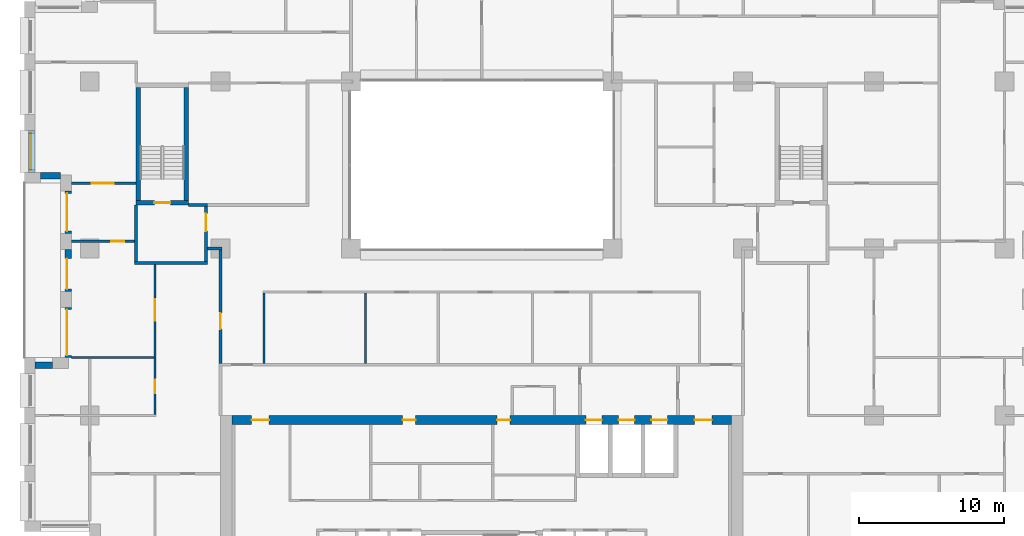
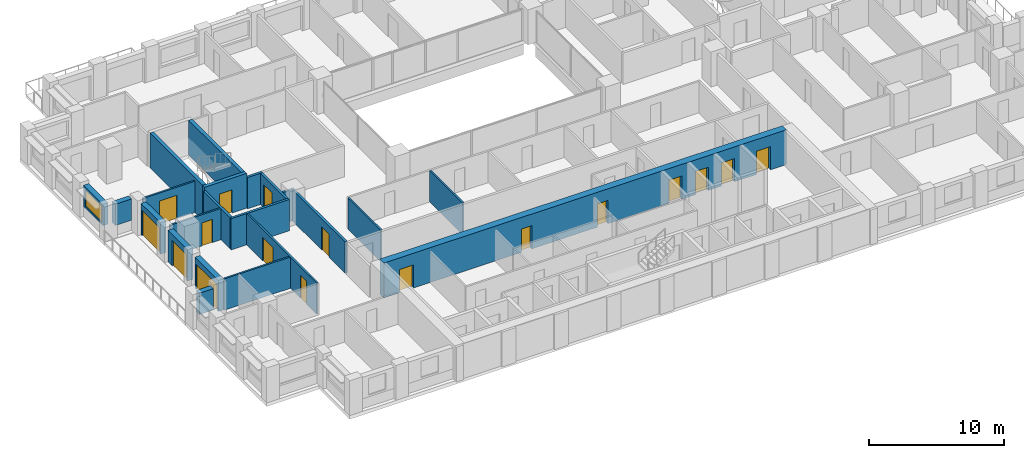
# One storey, part 9 of 16: 22 walls, 17 doors, 1 window, 18 openings.
"""IFC4 building model written with IfcOpenShell, lengths in metres."""

import ifcopenshell
import ifcopenshell.guid

model = None  # the IFC model being written
_history = None  # IfcOwnerHistory: only IFC2X3 demands one
_inside = {}  # id of a spatial element -> (the spatial element, [elements in it])
_under = {}  # id of a project, library or spatial element -> (it, [spatial elements below it])
_declared = {}  # id of a project -> (the project, [libraries it declares])
_typed = {}  # id of a type object -> (the type object, [elements of that type])
_made_of = {}  # id of a material, layer set ... -> (it, [elements and type objects made of it])


def new_model(schema):
    """Start an empty IFC model of exactly this schema.

    Asked for "IFC4X3", IfcOpenShell would pick the latest addendum, in which some entities
    have other attributes; the version numbers below select the first issue.
    IFC2X3 requires an IfcOwnerHistory on every rooted entity: one is made here for all.
    """
    global model, _history
    if schema == "IFC4X3":
        model = ifcopenshell.file(schema_version=(4, 3, 0, 0))
    else:
        model = ifcopenshell.file(schema=schema)
    _inside.clear()
    _under.clear()
    _declared.clear()
    _typed.clear()
    _made_of.clear()
    _history = None
    if model.schema == "IFC2X3":
        org = make("IfcOrganization", Name="unknown")
        user = make(
            "IfcPersonAndOrganization",
            ThePerson=make("IfcPerson", FamilyName="unknown"),
            TheOrganization=org,
        )
        app = make(
            "IfcApplication",
            ApplicationDeveloper=org,
            Version="unknown",
            ApplicationFullName="unknown",
            ApplicationIdentifier="unknown",
        )
        _history = make(
            "IfcOwnerHistory",
            OwningUser=user,
            OwningApplication=app,
            ChangeAction="ADDED",
            CreationDate=0,
        )
    return model


def make(cls, **values):
    """One entity of the class cls with the attributes given. An attribute that is None is left unset."""
    return model.create_entity(
        cls, **{name: value for name, value in values.items() if value is not None}
    )


def rooted(cls, **values):
    """An entity with a GlobalId (a new one), such as an element, a storey or a relation."""
    return make(cls, GlobalId=ifcopenshell.guid.new(), OwnerHistory=_history, **values)


def si_unit(unit_type, name, prefix=None):
    """IfcSIUnit, for example si_unit("LENGTHUNIT", "METRE", prefix="MILLI")."""
    return make("IfcSIUnit", UnitType=unit_type, Prefix=prefix, Name=name)


def assignment(units):
    """IfcUnitAssignment: the units of a project."""
    return None if units is None else make("IfcUnitAssignment", Units=units)


def point(xyz):
    """IfcCartesianPoint."""
    return None if xyz is None else make("IfcCartesianPoint", Coordinates=xyz)


def direction(xyz):
    """IfcDirection."""
    return None if xyz is None else make("IfcDirection", DirectionRatios=xyz)


def frame(location, z_axis=None, x_axis=None):
    """IfcAxis2Placement3D, a coordinate frame: its origin and axes. An axis left out is left unset."""
    return make(
        "IfcAxis2Placement3D",
        Location=point(location),
        Axis=direction(z_axis),
        RefDirection=direction(x_axis),
    )


def frame_2d(location, x_axis=None):
    """IfcAxis2Placement2D, a coordinate frame in the plane: its origin and x axis."""
    return make(
        "IfcAxis2Placement2D", Location=point(location), RefDirection=direction(x_axis)
    )


def origin():
    """The frame at (0, 0, 0) with its axes left unset."""
    return frame((0.0, 0.0, 0.0))


def place(relative_to, where):
    """IfcLocalPlacement: puts the frame where relative to a parent placement (None: the world)."""
    return make(
        "IfcLocalPlacement", PlacementRelTo=relative_to, RelativePlacement=where
    )


def context(
    kind, dimensions, precision=None, world=None, true_north=None, identifier=None
):
    """IfcGeometricRepresentationContext, for example the 3D "Model" context."""
    return make(
        "IfcGeometricRepresentationContext",
        ContextIdentifier=identifier,
        ContextType=kind,
        CoordinateSpaceDimension=dimensions,
        Precision=precision,
        WorldCoordinateSystem=world,
        TrueNorth=true_north,
    )


def subcontext(parent, identifier, kind, view, scale=None):
    """IfcGeometricRepresentationSubContext, for example "Body" below "Model"."""
    return make(
        "IfcGeometricRepresentationSubContext",
        ContextIdentifier=identifier,
        ContextType=kind,
        ParentContext=parent,
        TargetScale=scale,
        TargetView=view,
    )


def project(units=None, contexts=None):
    """IfcProject with its units and contexts."""
    return rooted(
        "IfcProject",
        Name="project",
        RepresentationContexts=contexts,
        UnitsInContext=assignment(units),
    )


def spatial(cls, under=None, at=None, **own):
    """A site, building, storey or space (cls), placed at a placement, below another one or the project."""
    s = rooted(cls, ObjectPlacement=at, **own)
    if under is not None:
        _under.setdefault(under.id(), (under, []))[1].append(s)
    return s


def profile(cls, at=None, kind="AREA", **sizes):
    """A parametric profile (cls). Its sizes go by their IFC names, for example OverallWidth=200.0."""
    return make(cls, ProfileType=kind, Position=at, **sizes)


def rectangle(**sizes):
    """IfcRectangleProfileDef."""
    return profile("IfcRectangleProfileDef", **sizes)


def extrude(swept, where, along, depth):
    """IfcExtrudedAreaSolid: the profile swept, set in the frame where, extruded along a direction by depth."""
    return make(
        "IfcExtrudedAreaSolid",
        SweptArea=swept,
        Position=where,
        ExtrudedDirection=direction(along),
        Depth=depth,
    )


def shape(context_of_items, identifier, shape_type, items):
    """IfcShapeRepresentation: the items that make up one representation, for example the "Body"."""
    return make(
        "IfcShapeRepresentation",
        ContextOfItems=context_of_items,
        RepresentationIdentifier=identifier,
        RepresentationType=shape_type,
        Items=items,
    )


def material(Name=None, Category=None):
    """IfcMaterial."""
    return make("IfcMaterial", Name=Name, Category=Category)


def layer(
    of_material, thickness, ventilated=None, Name=None, Category=None, Priority=None
):
    """IfcMaterialLayer: one layer of a wall or slab, of a material (None: an air gap)."""
    return make(
        "IfcMaterialLayer",
        Material=of_material,
        LayerThickness=thickness,
        IsVentilated=ventilated,
        Name=Name,
        Category=Category,
        Priority=Priority,
    )


def layer_set(layers, Name=None):
    """IfcMaterialLayerSet."""
    return make("IfcMaterialLayerSet", MaterialLayers=layers, LayerSetName=Name)


def made_of(thing, what):
    """Note that an element or type object is made of a material, layer set ...; save() writes the relation."""
    if what is not None:
        _made_of.setdefault(what.id(), (what, []))[1].append(thing)
    return thing


def type_object(cls, material=None, **own):
    """A type object (cls), such as IfcWallType, which elements share."""
    return made_of(rooted(cls, **own), material)


def element(
    cls,
    number,
    at=None,
    inside=None,
    cuts=None,
    type_object=None,
    material=None,
    context=None,
    identifier="Body",
    shape_type=None,
    held_by="IfcProductDefinitionShape",
    body=None,
    shapes=None,
    **own,
):
    """One element of the class cls, such as IfcWall. Its Tag is "e" and its number.

    at: its placement. inside: the storey or other place that contains it. cuts: it is an
    opening in that element (IfcRelVoidsElement). A single representation is given by context,
    identifier, shape_type and body (its items); several are given by shapes. held_by: the class
    of the entity that holds the representations. save() writes the other relations.
    """
    e = rooted(cls, Tag="e%d" % number, ObjectPlacement=at, **own)
    if body is not None:
        shapes = [shape(context, identifier, shape_type, body)]
    if shapes is not None:
        e.Representation = make(held_by, Representations=shapes)
    if inside is not None:
        _inside.setdefault(inside.id(), (inside, []))[1].append(e)
    if cuts is not None:
        rooted(
            "IfcRelVoidsElement", RelatingBuildingElement=cuts, RelatedOpeningElement=e
        )
    if type_object is not None:
        _typed.setdefault(type_object.id(), (type_object, []))[1].append(e)
    return made_of(e, material)


def fill(opening, filler):
    """IfcRelFillsElement: the door or window that sits in an opening."""
    return rooted(
        "IfcRelFillsElement",
        RelatingOpeningElement=opening,
        RelatedBuildingElement=filler,
    )


def aggregate(whole, parts):
    """IfcRelAggregates: a whole, such as a stair, and the parts it consists of."""
    return rooted("IfcRelAggregates", RelatingObject=whole, RelatedObjects=parts)


def save(model, path):
    """Write the relations noted so far, then the file.

    IfcRelAggregates (storeys below a building ...), IfcRelContainedInSpatialStructure (elements
    in a storey), IfcRelDefinesByType, IfcRelAssociatesMaterial and IfcRelDeclares: one each for
    every whole, place, type object, material and project.
    """
    for whole, parts in _under.values():
        aggregate(whole, parts)
    for where, things in _inside.values():
        rooted(
            "IfcRelContainedInSpatialStructure",
            RelatedElements=things,
            RelatingStructure=where,
        )
    for kind, things in _typed.values():
        rooted("IfcRelDefinesByType", RelatedObjects=things, RelatingType=kind)
    for what, things in _made_of.values():
        rooted("IfcRelAssociatesMaterial", RelatedObjects=things, RelatingMaterial=what)
    for by, libraries in _declared.values():
        rooted("IfcRelDeclares", RelatingContext=by, RelatedDefinitions=libraries)
    model.write(path)


model = new_model("IFC4")

# Units and contexts
model_context = context("Model", 3, precision=1e-05, world=origin(), true_north=direction((0.0, 1.0)))
body_context = subcontext(model_context, "Body", "Model", "MODEL_VIEW")
ifc_project = project(units=[si_unit("LENGTHUNIT", "METRE"), si_unit("AREAUNIT", "SQUARE_METRE"), si_unit("VOLUMEUNIT", "CUBIC_METRE"), si_unit("PLANEANGLEUNIT", "RADIAN"), si_unit("MASSUNIT", "GRAM", prefix="KILO")], contexts=[model_context])

# Site, building, storey
site_placement = place(None, origin())
site = spatial("IfcSite", under=ifc_project, at=site_placement, CompositionType="ELEMENT")
building_placement = place(site_placement, origin())
building = spatial("IfcBuilding", under=site, at=building_placement, Name="Brigalow Station Residences", CompositionType="ELEMENT")
storey_placement = place(building_placement, frame((0.0, 0.0, 118.199951171875)))
storey = spatial("IfcBuildingStorey", under=building, at=storey_placement, Name="L34", CompositionType="ELEMENT", Elevation=118.199951171875)

# Wall, opening, window
ifc_material_1 = material(Name="Clay brick masonry", Category="masonry")
ifc_layer_1 = layer(ifc_material_1, 0.449951171875)
ifc_layer_set_1 = layer_set([ifc_layer_1], Name="BRICK INFILL WALL 450")
wall_type_1 = type_object("IfcWallType", Name="BRICK INFILL WALL 450", PredefinedType="SOLIDWALL", material=ifc_layer_set_1)
wall_1_placement = place(storey_placement, frame((5.02490234375, 32.116943359375, 0.900146484375), z_axis=(0.0, 0.0, 1.0), x_axis=(0.0, -1.0, 0.0)))
wall_1 = element("IfcWall", 1, at=wall_1_placement, inside=storey, type_object=wall_type_1, Name="L34/ewall/W-L34-41", PredefinedType="SOLIDWALL", context=body_context, shape_type="SweptSolid", body=[
    extrude(rectangle(XDim=2.866943359375, YDim=0.449951171875, at=frame_2d((1.43359375, 0.0))), origin(), (0.0, 0.0, 1.0), 1.929931640625),
])
opening_1_placement = place(wall_1_placement, frame((0.18359375, 0.0, 0.14990234375)))
opening_1 = element("IfcOpeningElement", 2, at=opening_1_placement, cuts=wall_1, Name="Opening WT-5", PredefinedType="OPENING", context=body_context, shape_type="SweptSolid", body=[
    extrude(rectangle(XDim=2.5, YDim=1.5, at=frame_2d((1.25, 0.75))), frame((0.0, 0.23486328125, 0.0), z_axis=(0.0, -1.0, 0.0), x_axis=(1.0, 0.0, 0.0)), (0.0, 0.0, 1.0), 0.469970703125),
])
ifc_material_2 = material(Name="Anodised aluminium frame with double glazing", Category="aluminium")
window_type = type_object("IfcWindowType", Name="WINDOW 2500x1500", PartitioningType="SINGLE_PANEL", PredefinedType="WINDOW", material=ifc_material_2)
window_placement = place(opening_1_placement, origin())
window = element("IfcWindow", 3, at=window_placement, inside=storey, type_object=window_type, Name="L34/window/W-L34-41", OverallHeight=1.5, OverallWidth=2.5, PartitioningType="SINGLE_PANEL", PredefinedType="WINDOW", context=body_context, shape_type="SweptSolid", body=[
    extrude(rectangle(XDim=2.5, YDim=1.5, at=frame_2d((1.25, 0.75))), frame((0.0, -0.06494140625, 0.0), z_axis=(0.0, -1.0, 0.0), x_axis=(1.0, 0.0, 0.0)), (0.0, 0.0, 1.0), 0.06005859375),
])
fill(opening_1, window)

# Wall
wall_2_placement = place(storey_placement, frame((5.60009765625, 29.02490234375, 0.900146484375), z_axis=(0.0, 0.0, 1.0), x_axis=(1.0, 0.0, 0.0)))
element("IfcWall", 4, at=wall_2_placement, inside=storey, type_object=wall_type_1, Name="L34/ewall/W-L34-42", PredefinedType="SOLIDWALL", context=body_context, shape_type="SweptSolid", body=[
    extrude(rectangle(XDim=1.39990234375, YDim=0.449951171875, at=frame_2d((0.699951171875, 0.0))), origin(), (0.0, 0.0, 1.0), 1.929931640625),
])

# Wall, opening, door
wall_3_placement = place(storey_placement, frame((7.52490234375, 27.949951171875, 0.0), z_axis=(0.0, 0.0, 1.0), x_axis=(0.0, -1.0, 0.0)))
wall_3 = element("IfcWall", 5, at=wall_3_placement, inside=storey, type_object=wall_type_1, Name="L34/ewall/W-L34-43", PredefinedType="SOLIDWALL", context=body_context, shape_type="SweptSolid", body=[
    extrude(rectangle(XDim=2.89990234375, YDim=0.449951171875, at=frame_2d((1.449951171875, 0.0))), origin(), (0.0, 0.0, 1.0), 2.830078125),
])
opening_2_placement = place(wall_3_placement, frame((0.14990234375, 0.0, 0.0)))
opening_2 = element("IfcOpeningElement", 6, at=opening_2_placement, cuts=wall_3, Name="Opening D-B2600", PredefinedType="OPENING", context=body_context, shape_type="SweptSolid", body=[
    extrude(rectangle(XDim=2.60009765625, YDim=2.300048828125, at=frame_2d((1.300048828125, 1.14990234375))), frame((0.0, 0.23486328125, 0.0), z_axis=(0.0, -1.0, 0.0), x_axis=(1.0, 0.0, 0.0)), (0.0, 0.0, 1.0), 0.469970703125),
])
ifc_material_3 = material(Name="Anodised aluminium frame with double glazing", Category="aluminium")
door_type_1 = type_object("IfcDoorType", Name="BALCONY SLIDING DOOR 2600x2300", OperationType="SLIDING_TO_LEFT", PredefinedType="DOOR", material=ifc_material_3)
door_1_placement = place(opening_2_placement, origin())
door_1 = element("IfcDoor", 7, at=door_1_placement, inside=storey, type_object=door_type_1, Name="L34/balcony-door/W-L34-43", OperationType="SLIDING_TO_LEFT", OverallHeight=2.300048828125, OverallWidth=2.60009765625, PredefinedType="DOOR", context=body_context, shape_type="SweptSolid", body=[
    extrude(rectangle(XDim=2.60009765625, YDim=2.300048828125, at=frame_2d((1.300048828125, 1.14990234375))), frame((0.0, -0.06982421875, 0.0), z_axis=(0.0, -1.0, 0.0), x_axis=(1.0, 0.0, 0.0)), (0.0, 0.0, 1.0), 0.050048828125),
])
fill(opening_2, door_1)

wall_4_placement = place(storey_placement, frame((7.52490234375, 23.949951171875, 0.0), z_axis=(0.0, 0.0, 1.0), x_axis=(0.0, -1.0, 0.0)))
wall_4 = element("IfcWall", 8, at=wall_4_placement, inside=storey, type_object=wall_type_1, Name="L34/ewall/W-L34-44", PredefinedType="SOLIDWALL", context=body_context, shape_type="SweptSolid", body=[
    extrude(rectangle(XDim=2.89990234375, YDim=0.449951171875, at=frame_2d((1.449951171875, 0.0))), origin(), (0.0, 0.0, 1.0), 2.830078125),
])
opening_3_placement = place(wall_4_placement, frame((0.635009765625, 0.0, 0.0)))
opening_3 = element("IfcOpeningElement", 9, at=opening_3_placement, cuts=wall_4, Name="Opening D-B2100", PredefinedType="OPENING", context=body_context, shape_type="SweptSolid", body=[
    extrude(rectangle(XDim=2.10009765625, YDim=2.300048828125, at=frame_2d((1.050048828125, 1.14990234375))), frame((0.0, 0.23486328125, 0.0), z_axis=(0.0, -1.0, 0.0), x_axis=(1.0, 0.0, 0.0)), (0.0, 0.0, 1.0), 0.469970703125),
])
ifc_material_4 = material(Name="Anodised aluminium frame with double glazing", Category="aluminium")
door_type_2 = type_object("IfcDoorType", Name="BALCONY SLIDING DOOR 2100x2300", OperationType="SLIDING_TO_LEFT", PredefinedType="DOOR", material=ifc_material_4)
door_2_placement = place(opening_3_placement, origin())
door_2 = element("IfcDoor", 10, at=door_2_placement, inside=storey, type_object=door_type_2, Name="L34/balcony-door/W-L34-44", OperationType="SLIDING_TO_LEFT", OverallHeight=2.300048828125, OverallWidth=2.10009765625, PredefinedType="DOOR", context=body_context, shape_type="SweptSolid", body=[
    extrude(rectangle(XDim=2.10009765625, YDim=2.300048828125, at=frame_2d((1.050048828125, 1.14990234375))), frame((0.0, -0.06982421875, 0.0), z_axis=(0.0, -1.0, 0.0), x_axis=(1.0, 0.0, 0.0)), (0.0, 0.0, 1.0), 0.050048828125),
])
fill(opening_3, door_2)

wall_5_placement = place(storey_placement, frame((7.52490234375, 19.949951171875, 0.0), z_axis=(0.0, 0.0, 1.0), x_axis=(0.0, -1.0, 0.0)))
wall_5 = element("IfcWall", 11, at=wall_5_placement, inside=storey, type_object=wall_type_1, Name="L34/ewall/W-L34-45", PredefinedType="SOLIDWALL", context=body_context, shape_type="SweptSolid", body=[
    extrude(rectangle(XDim=3.449951171875, YDim=0.449951171875, at=frame_2d((1.72509765625, 0.0))), origin(), (0.0, 0.0, 1.0), 2.830078125),
])
opening_4_placement = place(wall_5_placement, frame((0.14990234375, 0.0, 0.0)))
opening_4 = element("IfcOpeningElement", 12, at=opening_4_placement, cuts=wall_5, Name="Opening D-B3150", PredefinedType="OPENING", context=body_context, shape_type="SweptSolid", body=[
    extrude(rectangle(XDim=3.14990234375, YDim=2.300048828125, at=frame_2d((1.574951171875, 1.14990234375))), frame((0.0, 0.23486328125, 0.0), z_axis=(0.0, -1.0, 0.0), x_axis=(1.0, 0.0, 0.0)), (0.0, 0.0, 1.0), 0.469970703125),
])
ifc_material_5 = material(Name="Anodised aluminium frame with double glazing", Category="aluminium")
door_type_3 = type_object("IfcDoorType", Name="BALCONY SLIDING DOOR 3150x2300", OperationType="SLIDING_TO_LEFT", PredefinedType="DOOR", material=ifc_material_5)
door_3_placement = place(opening_4_placement, origin())
door_3 = element("IfcDoor", 13, at=door_3_placement, inside=storey, type_object=door_type_3, Name="L34/balcony-door/W-L34-45", OperationType="SLIDING_TO_LEFT", OverallHeight=2.300048828125, OverallWidth=3.14990234375, PredefinedType="DOOR", context=body_context, shape_type="SweptSolid", body=[
    extrude(rectangle(XDim=3.14990234375, YDim=2.300048828125, at=frame_2d((1.574951171875, 1.14990234375))), frame((0.0, -0.06982421875, 0.0), z_axis=(0.0, -1.0, 0.0), x_axis=(1.0, 0.0, 0.0)), (0.0, 0.0, 1.0), 0.050048828125),
])
fill(opening_4, door_3)

# Wall
wall_6_placement = place(storey_placement, frame((6.449951171875, 15.97509765625, 0.900146484375), z_axis=(0.0, 0.0, 1.0), x_axis=(-1.0, 0.0, 0.0)))
element("IfcWall", 14, at=wall_6_placement, inside=storey, type_object=wall_type_1, Name="L34/ewall/W-L34-46", PredefinedType="SOLIDWALL", context=body_context, shape_type="SweptSolid", body=[
    extrude(rectangle(XDim=1.199951171875, YDim=0.449951171875, at=frame_2d((0.60009765625, 0.0))), origin(), (0.0, 0.0, 1.0), 1.929931640625),
])

# Wall, opening, door
ifc_material_6 = material(Name="Concrete C65", Category="concrete")
ifc_layer_2 = layer(ifc_material_6, 0.300048828125)
ifc_layer_set_2 = layer_set([ifc_layer_2], Name="CORE SHEAR WALL 300 C65")
wall_type_2 = type_object("IfcWallType", Name="CORE SHEAR WALL 300 C65", PredefinedType="SHEAR", material=ifc_layer_set_2)
wall_7_placement = place(storey_placement, frame((12.199951171875, 27.14990234375, 0.0), z_axis=(0.0, 0.0, 1.0), x_axis=(1.0, 0.0, 0.0)))
wall_7 = element("IfcWall", 15, at=wall_7_placement, inside=storey, type_object=wall_type_2, Name="CORE WALL ST-S1-S L34", PredefinedType="SHEAR", context=body_context, shape_type="SweptSolid", body=[
    extrude(rectangle(XDim=3.60009765625, YDim=0.300048828125, at=frame_2d((1.800048828125, 0.0))), origin(), (0.0, 0.0, 1.0), 3.150146484375),
])
opening_5_placement = place(wall_7_placement, frame((1.25, 0.0, 0.0)))
opening_5 = element("IfcOpeningElement", 16, at=opening_5_placement, cuts=wall_7, Name="Opening D-5015", PredefinedType="OPENING", context=body_context, shape_type="SweptSolid", body=[
    extrude(rectangle(XDim=1.10009765625, YDim=2.10009765625, at=frame_2d((0.550048828125, 1.050048828125))), frame((0.0, 0.16015625, 0.0), z_axis=(0.0, -1.0, 0.0), x_axis=(1.0, 0.0, 0.0)), (0.0, 0.0, 1.0), 0.320068359375),
])
ifc_material_7 = material(Name="Steel fire door leaf in steel frame", Category="steel")
door_type_4 = type_object("IfcDoorType", Name="STAIR DOOR 1100 x 2100 FD60S", OperationType="SINGLE_SWING_LEFT", PredefinedType="DOOR", material=ifc_material_7)
door_4_placement = place(opening_5_placement, origin())
door_4 = element("IfcDoor", 17, at=door_4_placement, inside=storey, type_object=door_type_4, Name="D-5015", OperationType="SINGLE_SWING_LEFT", OverallHeight=2.10009765625, OverallWidth=1.10009765625, PredefinedType="DOOR", context=body_context, shape_type="SweptSolid", body=[
    extrude(rectangle(XDim=1.10009765625, YDim=2.10009765625, at=frame_2d((0.550048828125, 1.050048828125))), frame((0.0, 0.02490234375, 0.0), z_axis=(0.0, -1.0, 0.0), x_axis=(1.0, 0.0, 0.0)), (0.0, 0.0, 1.0), 0.050048828125),
])
fill(opening_5, door_4)

# Walls
for number, where, z_axis, x_axis, name in (
    (18, (12.35009765625, 27.300048828125, 0.0), (0.0, 0.0, 1.0), (0.0, 1.0, 0.0), "CORE WALL ST-S1-W L34"),
    (19, (15.64990234375, 27.300048828125, 0.0), (0.0, 0.0, 1.0), (0.0, 1.0, 0.0), "CORE WALL ST-S1-E L34"),
):
    element("IfcWall", number, at=place(storey_placement, frame(where, z_axis=z_axis, x_axis=x_axis)), inside=storey, type_object=wall_type_2, Name=name, PredefinedType="SHEAR", context=body_context, shape_type="SweptSolid", body=[
        extrude(rectangle(XDim=7.800048828125, YDim=0.300048828125, at=frame_2d((3.89990234375, 0.0))), origin(), (0.0, 0.0, 1.0), 3.150146484375),
    ])

# Wall, openings, doors
ifc_material_8 = material(Name="Concrete C65", Category="concrete")
ifc_layer_3 = layer(ifc_material_8, 0.60009765625)
ifc_layer_set_3 = layer_set([ifc_layer_3], Name="CORE SHEAR WALL 600 C65")
wall_type_3 = type_object("IfcWallType", Name="CORE SHEAR WALL 600 C65", PredefinedType="SHEAR", material=ifc_layer_set_3)
wall_8_placement = place(storey_placement, frame((18.800048828125, 12.199951171875, 0.0), z_axis=(0.0, 0.0, 1.0), x_axis=(1.0, 0.0, 0.0)))
wall_8 = element("IfcWall", 20, at=wall_8_placement, inside=storey, type_object=wall_type_3, Name="CORE WALL OUT-N L34", PredefinedType="SHEAR", context=body_context, shape_type="SweptSolid", body=[
    extrude(rectangle(XDim=34.39990234375, YDim=0.60009765625, at=frame_2d((17.199951171875, 0.0))), origin(), (0.0, 0.0, 1.0), 3.150146484375),
])
opening_6_placement = place(wall_8_placement, frame((24.375, 0.0, 0.0)))
opening_6 = element("IfcOpeningElement", 21, at=opening_6_placement, cuts=wall_8, Name="Opening LD-LF1", PredefinedType="OPENING", context=body_context, shape_type="SweptSolid", body=[
    extrude(rectangle(XDim=1.10009765625, YDim=2.10009765625, at=frame_2d((0.550048828125, 1.050048828125))), frame((0.0, 0.31005859375, 0.0), z_axis=(0.0, -1.0, 0.0), x_axis=(1.0, 0.0, 0.0)), (0.0, 0.0, 1.0), 0.6201171875),
])
opening_7_placement = place(wall_8_placement, frame((26.625, 0.0, 0.0)))
opening_7 = element("IfcOpeningElement", 22, at=opening_7_placement, cuts=wall_8, Name="Opening LD-LF2", PredefinedType="OPENING", context=body_context, shape_type="SweptSolid", body=[
    extrude(rectangle(XDim=1.10009765625, YDim=2.10009765625, at=frame_2d((0.550048828125, 1.050048828125))), frame((0.0, 0.31005859375, 0.0), z_axis=(0.0, -1.0, 0.0), x_axis=(1.0, 0.0, 0.0)), (0.0, 0.0, 1.0), 0.6201171875),
])
opening_8_placement = place(wall_8_placement, frame((28.875, 0.0, 0.0)))
opening_8 = element("IfcOpeningElement", 23, at=opening_8_placement, cuts=wall_8, Name="Opening LD-LG1", PredefinedType="OPENING", context=body_context, shape_type="SweptSolid", body=[
    extrude(rectangle(XDim=1.10009765625, YDim=2.10009765625, at=frame_2d((0.550048828125, 1.050048828125))), frame((0.0, 0.31005859375, 0.0), z_axis=(0.0, -1.0, 0.0), x_axis=(1.0, 0.0, 0.0)), (0.0, 0.0, 1.0), 0.6201171875),
])
opening_9_placement = place(wall_8_placement, frame((11.75, 0.0, 0.0)))
opening_9 = element("IfcOpeningElement", 24, at=opening_9_placement, cuts=wall_8, Name="Opening D-5122", PredefinedType="OPENING", context=body_context, shape_type="SweptSolid", body=[
    extrude(rectangle(XDim=0.89990234375, YDim=2.10009765625, at=frame_2d((0.449951171875, 1.050048828125))), frame((0.0, 0.31005859375, 0.0), z_axis=(0.0, -1.0, 0.0), x_axis=(1.0, 0.0, 0.0)), (0.0, 0.0, 1.0), 0.6201171875),
])
opening_10_placement = place(wall_8_placement, frame((18.25, 0.0, 0.0)))
opening_10 = element("IfcOpeningElement", 25, at=opening_10_placement, cuts=wall_8, Name="Opening D-5119", PredefinedType="OPENING", context=body_context, shape_type="SweptSolid", body=[
    extrude(rectangle(XDim=0.89990234375, YDim=2.10009765625, at=frame_2d((0.449951171875, 1.050048828125))), frame((0.0, 0.31005859375, 0.0), z_axis=(0.0, -1.0, 0.0), x_axis=(1.0, 0.0, 0.0)), (0.0, 0.0, 1.0), 0.6201171875),
])
opening_11_placement = place(wall_8_placement, frame((1.35009765625, 0.0, 0.0)))
opening_11 = element("IfcOpeningElement", 26, at=opening_11_placement, cuts=wall_8, Name="Opening D-5011", PredefinedType="OPENING", context=body_context, shape_type="SweptSolid", body=[
    extrude(rectangle(XDim=1.199951171875, YDim=2.10009765625, at=frame_2d((0.60009765625, 1.050048828125))), frame((0.0, 0.31005859375, 0.0), z_axis=(0.0, -1.0, 0.0), x_axis=(1.0, 0.0, 0.0)), (0.0, 0.0, 1.0), 0.6201171875),
])
opening_12_placement = place(wall_8_placement, frame((31.85009765625, 0.0, 0.0)))
opening_12 = element("IfcOpeningElement", 27, at=opening_12_placement, cuts=wall_8, Name="Opening D-5012", PredefinedType="OPENING", context=body_context, shape_type="SweptSolid", body=[
    extrude(rectangle(XDim=1.199951171875, YDim=2.10009765625, at=frame_2d((0.60009765625, 1.050048828125))), frame((0.0, 0.31005859375, 0.0), z_axis=(0.0, -1.0, 0.0), x_axis=(1.0, 0.0, 0.0)), (0.0, 0.0, 1.0), 0.6201171875),
])
ifc_material_9 = material(Name="Steel fire door leaf in steel frame", Category="steel")
door_type_5 = type_object("IfcDoorType", Name="CORE CORRIDOR DOOR 1200 x 2100 FD60S", OperationType="SINGLE_SWING_LEFT", PredefinedType="DOOR", material=ifc_material_9)
door_5_placement = place(opening_11_placement, frame((1.199951171875, 0.0, 0.0), z_axis=(0.0, 0.0, 1.0), x_axis=(-1.0, 0.0, 0.0)))
door_5 = element("IfcDoor", 28, at=door_5_placement, inside=storey, type_object=door_type_5, Name="D-5011", OperationType="SINGLE_SWING_LEFT", OverallHeight=2.10009765625, OverallWidth=1.199951171875, PredefinedType="DOOR", context=body_context, shape_type="SweptSolid", body=[
    extrude(rectangle(XDim=1.199951171875, YDim=2.10009765625, at=frame_2d((0.60009765625, 1.050048828125))), frame((0.0, 0.02490234375, 0.0), z_axis=(0.0, -1.0, 0.0), x_axis=(1.0, 0.0, 0.0)), (0.0, 0.0, 1.0), 0.050048828125),
])
fill(opening_11, door_5)
door_6_placement = place(opening_12_placement, frame((1.199951171875, 0.0, 0.0), z_axis=(0.0, 0.0, 1.0), x_axis=(-1.0, 0.0, 0.0)))
door_6 = element("IfcDoor", 29, at=door_6_placement, inside=storey, type_object=door_type_5, Name="D-5012", OperationType="SINGLE_SWING_LEFT", OverallHeight=2.10009765625, OverallWidth=1.199951171875, PredefinedType="DOOR", context=body_context, shape_type="SweptSolid", body=[
    extrude(rectangle(XDim=1.199951171875, YDim=2.10009765625, at=frame_2d((0.60009765625, 1.050048828125))), frame((0.0, 0.02490234375, 0.0), z_axis=(0.0, -1.0, 0.0), x_axis=(1.0, 0.0, 0.0)), (0.0, 0.0, 1.0), 0.050048828125),
])
fill(opening_12, door_6)
ifc_material_10 = material(Name="Stainless steel sliding door leaves", Category="steel")
door_type_6 = type_object("IfcDoorType", Name="LIFT LANDING DOOR 1100 x 2100", OperationType="DOUBLE_DOOR_SLIDING", PredefinedType="DOOR", material=ifc_material_10)
door_7_placement = place(opening_6_placement, origin())
door_7 = element("IfcDoor", 30, at=door_7_placement, inside=storey, type_object=door_type_6, Name="LANDING DOOR LF1", OperationType="DOUBLE_DOOR_SLIDING", OverallHeight=2.10009765625, OverallWidth=1.10009765625, PredefinedType="DOOR", context=body_context, shape_type="SweptSolid", body=[
    extrude(rectangle(XDim=1.10009765625, YDim=2.10009765625, at=frame_2d((0.550048828125, 1.050048828125))), frame((0.0, 0.02490234375, 0.0), z_axis=(0.0, -1.0, 0.0), x_axis=(1.0, 0.0, 0.0)), (0.0, 0.0, 1.0), 0.050048828125),
])
fill(opening_6, door_7)
door_8_placement = place(opening_7_placement, origin())
door_8 = element("IfcDoor", 31, at=door_8_placement, inside=storey, type_object=door_type_6, Name="LANDING DOOR LF2", OperationType="DOUBLE_DOOR_SLIDING", OverallHeight=2.10009765625, OverallWidth=1.10009765625, PredefinedType="DOOR", context=body_context, shape_type="SweptSolid", body=[
    extrude(rectangle(XDim=1.10009765625, YDim=2.10009765625, at=frame_2d((0.550048828125, 1.050048828125))), frame((0.0, 0.02490234375, 0.0), z_axis=(0.0, -1.0, 0.0), x_axis=(1.0, 0.0, 0.0)), (0.0, 0.0, 1.0), 0.050048828125),
])
fill(opening_7, door_8)
door_9_placement = place(opening_8_placement, origin())
door_9 = element("IfcDoor", 32, at=door_9_placement, inside=storey, type_object=door_type_6, Name="LANDING DOOR LG1", OperationType="DOUBLE_DOOR_SLIDING", OverallHeight=2.10009765625, OverallWidth=1.10009765625, PredefinedType="DOOR", context=body_context, shape_type="SweptSolid", body=[
    extrude(rectangle(XDim=1.10009765625, YDim=2.10009765625, at=frame_2d((0.550048828125, 1.050048828125))), frame((0.0, 0.02490234375, 0.0), z_axis=(0.0, -1.0, 0.0), x_axis=(1.0, 0.0, 0.0)), (0.0, 0.0, 1.0), 0.050048828125),
])
fill(opening_8, door_9)
ifc_material_11 = material(Name="Steel door leaf in steel frame", Category="steel")
door_type_7 = type_object("IfcDoorType", Name="SERVICE ROOM DOOR 900 x 2100 FD60", OperationType="SINGLE_SWING_LEFT", PredefinedType="DOOR", material=ifc_material_11)
door_10_placement = place(opening_9_placement, frame((0.89990234375, 0.0, 0.0), z_axis=(0.0, 0.0, 1.0), x_axis=(-1.0, 0.0, 0.0)))
door_10 = element("IfcDoor", 33, at=door_10_placement, inside=storey, type_object=door_type_7, Name="D-5122", OperationType="SINGLE_SWING_RIGHT", OverallHeight=2.10009765625, OverallWidth=0.89990234375, PredefinedType="DOOR", context=body_context, shape_type="SweptSolid", body=[
    extrude(rectangle(XDim=0.89990234375, YDim=2.10009765625, at=frame_2d((0.449951171875, 1.050048828125))), frame((0.0, 0.02490234375, 0.0), z_axis=(0.0, -1.0, 0.0), x_axis=(1.0, 0.0, 0.0)), (0.0, 0.0, 1.0), 0.050048828125),
])
fill(opening_9, door_10)
door_11_placement = place(opening_10_placement, frame((0.89990234375, 0.0, 0.0), z_axis=(0.0, 0.0, 1.0), x_axis=(-1.0, 0.0, 0.0)))
door_11 = element("IfcDoor", 34, at=door_11_placement, inside=storey, type_object=door_type_7, Name="D-5119", OperationType="SINGLE_SWING_RIGHT", OverallHeight=2.10009765625, OverallWidth=0.89990234375, PredefinedType="DOOR", context=body_context, shape_type="SweptSolid", body=[
    extrude(rectangle(XDim=0.89990234375, YDim=2.10009765625, at=frame_2d((0.449951171875, 1.050048828125))), frame((0.0, 0.02490234375, 0.0), z_axis=(0.0, -1.0, 0.0), x_axis=(1.0, 0.0, 0.0)), (0.0, 0.0, 1.0), 0.050048828125),
])
fill(opening_10, door_11)

# Walls
ifc_material_12 = material(Name="Concrete blockwork", Category="masonry")
ifc_layer_4 = layer(ifc_material_12, 0.199951171875)
ifc_layer_set_4 = layer_set([ifc_layer_4], Name="FIRE RATED CORE PARTITION 200")
wall_type_4 = type_object("IfcWallType", Name="FIRE RATED CORE PARTITION 200", PredefinedType="PARTITIONING", material=ifc_layer_set_4)
wall_9_placement = place(storey_placement, frame((12.10009765625, 23.0, 0.0), z_axis=(0.0, 0.0, 1.0), x_axis=(1.0, 0.0, 0.0)))
element("IfcWall", 35, at=wall_9_placement, inside=storey, type_object=wall_type_4, Name="PW-5023", PredefinedType="PARTITIONING", context=body_context, shape_type="SweptSolid", body=[
    extrude(rectangle(XDim=5.0, YDim=0.199951171875, at=frame_2d((2.5, 0.0))), origin(), (0.0, 0.0, 1.0), 2.830078125),
])
wall_10_placement = place(storey_placement, frame((15.800048828125, 27.0, 0.0), z_axis=(0.0, 0.0, 1.0), x_axis=(1.0, 0.0, 0.0)))
element("IfcWall", 36, at=wall_10_placement, inside=storey, type_object=wall_type_4, Name="PW-5025", PredefinedType="PARTITIONING", context=body_context, shape_type="SweptSolid", body=[
    extrude(rectangle(XDim=1.300048828125, YDim=0.199951171875, at=frame_2d((0.64990234375, 0.0))), origin(), (0.0, 0.0, 1.0), 2.830078125),
])
wall_11_placement = place(storey_placement, frame((12.199951171875, 23.10009765625, 0.0), z_axis=(0.0, 0.0, 1.0), x_axis=(0.0, 1.0, 0.0)))
element("IfcWall", 37, at=wall_11_placement, inside=storey, type_object=wall_type_4, Name="PW-5034", PredefinedType="PARTITIONING", context=body_context, shape_type="SweptSolid", body=[
    extrude(rectangle(XDim=3.89990234375, YDim=0.199951171875, at=frame_2d((1.949951171875, 0.0))), origin(), (0.0, 0.0, 1.0), 2.830078125),
])

# Wall, opening, door
wall_12_placement = place(storey_placement, frame((17.0, 23.10009765625, 0.0), z_axis=(0.0, 0.0, 1.0), x_axis=(0.0, 1.0, 0.0)))
wall_12 = element("IfcWall", 38, at=wall_12_placement, inside=storey, type_object=wall_type_4, Name="PW-5035", PredefinedType="PARTITIONING", context=body_context, shape_type="SweptSolid", body=[
    extrude(rectangle(XDim=3.7998046875, YDim=0.199951171875, at=frame_2d((1.89990234375, 0.0))), origin(), (0.0, 0.0, 1.0), 2.830078125),
])
opening_13_placement = place(wall_12_placement, frame((2.10009765625, 0.0, 0.0)))
opening_13 = element("IfcOpeningElement", 39, at=opening_13_placement, cuts=wall_12, Name="Opening D-5016", PredefinedType="OPENING", context=body_context, shape_type="SweptSolid", body=[
    extrude(rectangle(XDim=1.199951171875, YDim=2.10009765625, at=frame_2d((0.60009765625, 1.050048828125))), frame((0.0, 0.10986328125, 0.0), z_axis=(0.0, -1.0, 0.0), x_axis=(1.0, 0.0, 0.0)), (0.0, 0.0, 1.0), 0.219970703125),
])
ifc_material_13 = material(Name="Steel fire door leaf in steel frame", Category="steel")
door_type_8 = type_object("IfcDoorType", Name="STAIR LOBBY DOOR 1200 x 2100 FD60S", OperationType="SINGLE_SWING_LEFT", PredefinedType="DOOR", material=ifc_material_13)
door_12_placement = place(opening_13_placement, origin())
door_12 = element("IfcDoor", 40, at=door_12_placement, inside=storey, type_object=door_type_8, Name="D-5016", OperationType="SINGLE_SWING_RIGHT", OverallHeight=2.10009765625, OverallWidth=1.199951171875, PredefinedType="DOOR", context=body_context, shape_type="SweptSolid", body=[
    extrude(rectangle(XDim=1.199951171875, YDim=2.10009765625, at=frame_2d((0.60009765625, 1.050048828125))), frame((0.0, 0.02490234375, 0.0), z_axis=(0.0, -1.0, 0.0), x_axis=(1.0, 0.0, 0.0)), (0.0, 0.0, 1.0), 0.050048828125),
])
fill(opening_13, door_12)

# Wall
ifc_material_14 = material(Name="Plasterboard on steel stud partition", Category="steel")
ifc_layer_5 = layer(ifc_material_14, 0.14990234375)
ifc_layer_set_5 = layer_set([ifc_layer_5], Name="FLAT PARTITION 150")
wall_type_5 = type_object("IfcWallType", Name="FLAT PARTITION 150", PredefinedType="PARTITIONING", material=ifc_layer_set_5)
wall_13_placement = place(storey_placement, frame((7.75, 16.5, 0.0), z_axis=(0.0, 0.0, 1.0), x_axis=(1.0, 0.0, 0.0)))
element("IfcWall", 41, at=wall_13_placement, inside=storey, type_object=wall_type_5, Name="PW-2E14", PredefinedType="PARTITIONING", context=body_context, shape_type="SweptSolid", body=[
    extrude(rectangle(XDim=5.675048828125, YDim=0.14990234375, at=frame_2d((2.83740234375, 0.0))), origin(), (0.0, 0.0, 1.0), 2.830078125),
])

# Wall, opening, door
wall_14_placement = place(storey_placement, frame((7.75, 24.5, 0.0), z_axis=(0.0, 0.0, 1.0), x_axis=(1.0, 0.0, 0.0)))
wall_14 = element("IfcWall", 42, at=wall_14_placement, inside=storey, type_object=wall_type_5, Name="PW-2E18", PredefinedType="PARTITIONING", context=body_context, shape_type="SweptSolid", body=[
    extrude(rectangle(XDim=4.35009765625, YDim=0.14990234375, at=frame_2d((2.175048828125, 0.0))), origin(), (0.0, 0.0, 1.0), 2.830078125),
])
opening_14_placement = place(wall_14_placement, frame((2.72509765625, 0.0, 0.0)))
opening_14 = element("IfcOpeningElement", 43, at=opening_14_placement, cuts=wall_14, Name="Opening D-2E10", PredefinedType="OPENING", context=body_context, shape_type="SweptSolid", body=[
    extrude(rectangle(XDim=0.89990234375, YDim=2.10009765625, at=frame_2d((0.449951171875, 1.050048828125))), frame((0.0, 0.0849609375, 0.0), z_axis=(0.0, -1.0, 0.0), x_axis=(1.0, 0.0, 0.0)), (0.0, 0.0, 1.0), 0.169921875),
])
ifc_material_15 = material(Name="Solid-core timber door leaf", Category="wood")
door_type_9 = type_object("IfcDoorType", Name="INTERNAL DOOR 900 x 2100", OperationType="SINGLE_SWING_LEFT", PredefinedType="DOOR", material=ifc_material_15)
door_13_placement = place(opening_14_placement, origin())
door_13 = element("IfcDoor", 44, at=door_13_placement, inside=storey, type_object=door_type_9, Name="D-2E10", OperationType="SINGLE_SWING_RIGHT", OverallHeight=2.10009765625, OverallWidth=0.89990234375, PredefinedType="DOOR", context=body_context, shape_type="SweptSolid", body=[
    extrude(rectangle(XDim=0.89990234375, YDim=2.10009765625, at=frame_2d((0.449951171875, 1.050048828125))), frame((0.0, 0.02490234375, 0.0), z_axis=(0.0, -1.0, 0.0), x_axis=(1.0, 0.0, 0.0)), (0.0, 0.0, 1.0), 0.050048828125),
])
fill(opening_14, door_13)

wall_15_placement = place(storey_placement, frame((7.75, 28.5, 0.0), z_axis=(0.0, 0.0, 1.0), x_axis=(1.0, 0.0, 0.0)))
wall_15 = element("IfcWall", 45, at=wall_15_placement, inside=storey, type_object=wall_type_5, Name="PW-2E21", PredefinedType="PARTITIONING", context=body_context, shape_type="SweptSolid", body=[
    extrude(rectangle(XDim=4.449951171875, YDim=0.14990234375, at=frame_2d((2.22509765625, 0.0))), origin(), (0.0, 0.0, 1.0), 2.830078125),
])
opening_15_placement = place(wall_15_placement, frame((1.39990234375, 0.0, 0.0)))
opening_15 = element("IfcOpeningElement", 46, at=opening_15_placement, cuts=wall_15, Name="Opening D-2E11", PredefinedType="OPENING", context=body_context, shape_type="SweptSolid", body=[
    extrude(rectangle(XDim=1.5, YDim=2.10009765625, at=frame_2d((0.75, 1.050048828125))), frame((0.0, 0.0849609375, 0.0), z_axis=(0.0, -1.0, 0.0), x_axis=(1.0, 0.0, 0.0)), (0.0, 0.0, 1.0), 0.169921875),
])
ifc_material_16 = material(Name="Solid-core timber door leaf", Category="wood")
door_type_10 = type_object("IfcDoorType", Name="INTERNAL DOUBLE DOOR 1500 x 2100", OperationType="DOUBLE_DOOR_SINGLE_SWING", PredefinedType="DOOR", material=ifc_material_16)
door_14_placement = place(opening_15_placement, frame((1.5, 0.0, 0.0), z_axis=(0.0, 0.0, 1.0), x_axis=(-1.0, 0.0, 0.0)))
door_14 = element("IfcDoor", 47, at=door_14_placement, inside=storey, type_object=door_type_10, Name="D-2E11", OperationType="DOUBLE_DOOR_SINGLE_SWING", OverallHeight=2.10009765625, OverallWidth=1.5, PredefinedType="DOOR", context=body_context, shape_type="SweptSolid", body=[
    extrude(rectangle(XDim=1.5, YDim=2.10009765625, at=frame_2d((0.75, 1.050048828125))), frame((0.0, 0.02490234375, 0.0), z_axis=(0.0, -1.0, 0.0), x_axis=(1.0, 0.0, 0.0)), (0.0, 0.0, 1.0), 0.050048828125),
])
fill(opening_15, door_14)

# Wall
wall_16_placement = place(storey_placement, frame((21.0, 16.10009765625, 0.0), z_axis=(0.0, 0.0, 1.0), x_axis=(0.0, 1.0, 0.0)))
element("IfcWall", 48, at=wall_16_placement, inside=storey, type_object=wall_type_5, Name="PW-2E38", PredefinedType="PARTITIONING", context=body_context, shape_type="SweptSolid", body=[
    extrude(rectangle(XDim=4.824951171875, YDim=0.14990234375, at=frame_2d((2.41259765625, 0.0))), origin(), (0.0, 0.0, 1.0), 2.830078125),
])

# Wall, openings, doors
wall_17_placement = place(storey_placement, frame((13.5, 12.574951171875, 0.0), z_axis=(0.0, 0.0, 1.0), x_axis=(0.0, 1.0, 0.0)))
wall_17 = element("IfcWall", 49, at=wall_17_placement, inside=storey, type_object=wall_type_5, Name="PW-2E45", PredefinedType="PARTITIONING", context=body_context, shape_type="SweptSolid", body=[
    extrude(rectangle(XDim=10.324951171875, YDim=0.14990234375, at=frame_2d((5.16259765625, 0.0))), origin(), (0.0, 0.0, 1.0), 2.830078125),
])
opening_16_placement = place(wall_17_placement, frame((1.47509765625, 0.0, 0.0)))
opening_16 = element("IfcOpeningElement", 50, at=opening_16_placement, cuts=wall_17, Name="Opening D-2E08", PredefinedType="OPENING", context=body_context, shape_type="SweptSolid", body=[
    extrude(rectangle(XDim=0.89990234375, YDim=2.10009765625, at=frame_2d((0.449951171875, 1.050048828125))), frame((0.0, 0.0849609375, 0.0), z_axis=(0.0, -1.0, 0.0), x_axis=(1.0, 0.0, 0.0)), (0.0, 0.0, 1.0), 0.169921875),
])
opening_17_placement = place(wall_17_placement, frame((6.449951171875, 0.0, 0.0)))
opening_17 = element("IfcOpeningElement", 51, at=opening_17_placement, cuts=wall_17, Name="Opening D-2E09", PredefinedType="OPENING", context=body_context, shape_type="SweptSolid", body=[
    extrude(rectangle(XDim=1.5, YDim=2.10009765625, at=frame_2d((0.75, 1.050048828125))), frame((0.0, 0.0849609375, 0.0), z_axis=(0.0, -1.0, 0.0), x_axis=(1.0, 0.0, 0.0)), (0.0, 0.0, 1.0), 0.169921875),
])
door_15_placement = place(opening_16_placement, origin())
door_15 = element("IfcDoor", 52, at=door_15_placement, inside=storey, type_object=door_type_9, Name="D-2E08", OperationType="SINGLE_SWING_RIGHT", OverallHeight=2.10009765625, OverallWidth=0.89990234375, PredefinedType="DOOR", context=body_context, shape_type="SweptSolid", body=[
    extrude(rectangle(XDim=0.89990234375, YDim=2.10009765625, at=frame_2d((0.449951171875, 1.050048828125))), frame((0.0, 0.02490234375, 0.0), z_axis=(0.0, -1.0, 0.0), x_axis=(1.0, 0.0, 0.0)), (0.0, 0.0, 1.0), 0.050048828125),
])
fill(opening_16, door_15)
door_16_placement = place(opening_17_placement, origin())
door_16 = element("IfcDoor", 53, at=door_16_placement, inside=storey, type_object=door_type_10, Name="D-2E09", OperationType="DOUBLE_DOOR_SINGLE_SWING", OverallHeight=2.10009765625, OverallWidth=1.5, PredefinedType="DOOR", context=body_context, shape_type="SweptSolid", body=[
    extrude(rectangle(XDim=1.5, YDim=2.10009765625, at=frame_2d((0.75, 1.050048828125))), frame((0.0, 0.02490234375, 0.0), z_axis=(0.0, -1.0, 0.0), x_axis=(1.0, 0.0, 0.0)), (0.0, 0.0, 1.0), 0.050048828125),
])
fill(opening_17, door_16)

# Walls
wall_18_placement = place(storey_placement, frame((28.0, 16.10009765625, 0.0), z_axis=(0.0, 0.0, 1.0), x_axis=(0.0, 1.0, 0.0)))
element("IfcWall", 54, at=wall_18_placement, inside=storey, type_object=wall_type_5, Name="PW-2E66", PredefinedType="PARTITIONING", context=body_context, shape_type="SweptSolid", body=[
    extrude(rectangle(XDim=4.824951171875, YDim=0.14990234375, at=frame_2d((2.41259765625, 0.0))), origin(), (0.0, 0.0, 1.0), 2.830078125),
])
ifc_material_17 = material(Name="Plasterboard on steel stud partition", Category="steel")
ifc_layer_6 = layer(ifc_material_17, 0.199951171875)
ifc_layer_set_6 = layer_set([ifc_layer_6], Name="PARTY AND CORRIDOR WALL 200")
wall_type_6 = type_object("IfcWallType", Name="PARTY AND CORRIDOR WALL 200", PredefinedType="PARTITIONING", material=ifc_layer_set_6)
wall_19_placement = place(storey_placement, frame((17.10009765625, 24.0, 0.0), z_axis=(0.0, 0.0, 1.0), x_axis=(1.0, 0.0, 0.0)))
element("IfcWall", 55, at=wall_19_placement, inside=storey, type_object=wall_type_6, Name="PW-2E02", PredefinedType="PARTITIONING", context=body_context, shape_type="SweptSolid", body=[
    extrude(rectangle(XDim=1.0, YDim=0.199951171875, at=frame_2d((0.5, 0.0))), origin(), (0.0, 0.0, 1.0), 2.830078125),
])

# Wall, opening, door
wall_20_placement = place(storey_placement, frame((18.0, 16.10009765625, 0.0), z_axis=(0.0, 0.0, 1.0), x_axis=(0.0, 1.0, 0.0)))
wall_20 = element("IfcWall", 56, at=wall_20_placement, inside=storey, type_object=wall_type_6, Name="PW-2E35", PredefinedType="PARTITIONING", context=body_context, shape_type="SweptSolid", body=[
    extrude(rectangle(XDim=7.7998046875, YDim=0.199951171875, at=frame_2d((3.89990234375, 0.0))), origin(), (0.0, 0.0, 1.0), 2.830078125),
])
opening_18_placement = place(wall_20_placement, frame((2.35009765625, 0.0, 0.0)))
opening_18 = element("IfcOpeningElement", 57, at=opening_18_placement, cuts=wall_20, Name="Opening D-2E03", PredefinedType="OPENING", context=body_context, shape_type="SweptSolid", body=[
    extrude(rectangle(XDim=1.10009765625, YDim=2.10009765625, at=frame_2d((0.550048828125, 1.050048828125))), frame((0.0, 0.10986328125, 0.0), z_axis=(0.0, -1.0, 0.0), x_axis=(1.0, 0.0, 0.0)), (0.0, 0.0, 1.0), 0.219970703125),
])
ifc_material_18 = material(Name="Solid-core timber door leaf", Category="wood")
door_type_11 = type_object("IfcDoorType", Name="FLAT ENTRANCE DOOR 1100 x 2100 FRL -/60/30", OperationType="SINGLE_SWING_LEFT", PredefinedType="DOOR", material=ifc_material_18)
door_17_placement = place(opening_18_placement, origin())
door_17 = element("IfcDoor", 58, at=door_17_placement, inside=storey, type_object=door_type_11, Name="D-2E03", OperationType="SINGLE_SWING_RIGHT", OverallHeight=2.10009765625, OverallWidth=1.10009765625, PredefinedType="DOOR", context=body_context, shape_type="SweptSolid", body=[
    extrude(rectangle(XDim=1.10009765625, YDim=2.10009765625, at=frame_2d((0.550048828125, 1.050048828125))), frame((0.0, 0.02490234375, 0.0), z_axis=(0.0, -1.0, 0.0), x_axis=(1.0, 0.0, 0.0)), (0.0, 0.0, 1.0), 0.050048828125),
])
fill(opening_18, door_17)

save(model, "model.ifc")
